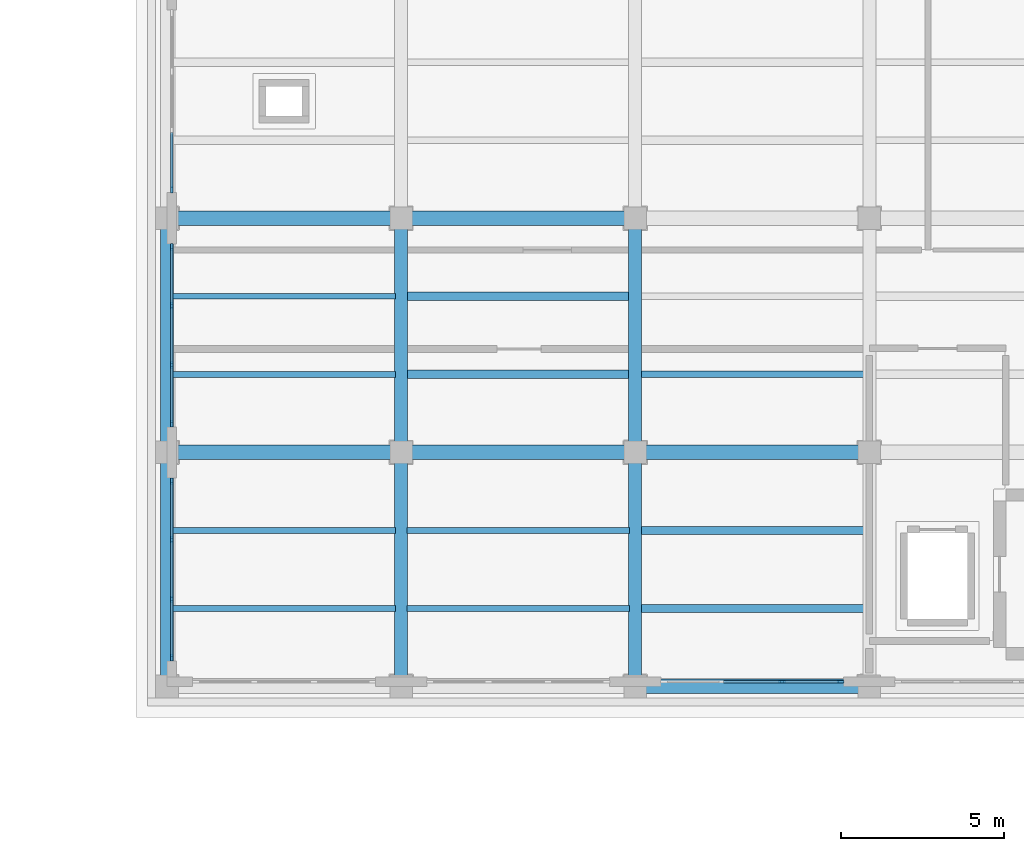
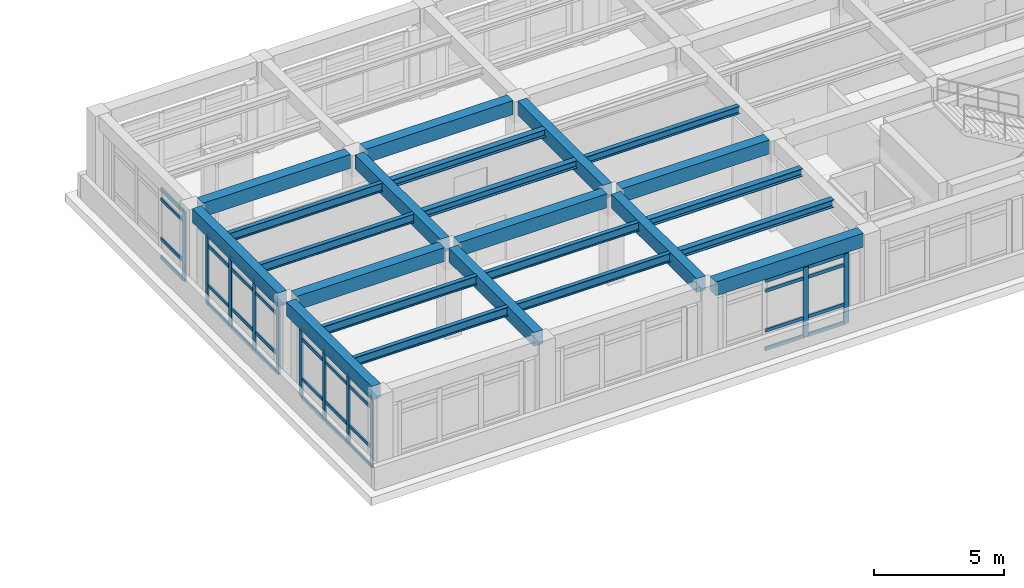
# One storey, part 22 of 64: 47 members, 23 beams, 4 elements without a shape of their own.
"""IFC4 building model written with IfcOpenShell, lengths in metres."""

from ifc_helpers import new_model, si_unit, direction, frame, origin, origin_2d, place, context, subcontext, project, spatial, rectangle, i_section, extrude, material, layer, layer_set, material_profile, profile_set, type_object, element, aggregate, save


model = new_model("IFC4")

# Units and contexts
model_context = context("Model", 3, precision=1e-05, world=origin(), true_north=direction((0.0, 1.0)))
body_context = subcontext(model_context, "Body", "Model", "MODEL_VIEW")
ifc_project = project(units=[si_unit("LENGTHUNIT", "METRE"), si_unit("AREAUNIT", "SQUARE_METRE"), si_unit("VOLUMEUNIT", "CUBIC_METRE"), si_unit("PLANEANGLEUNIT", "RADIAN"), si_unit("MASSUNIT", "GRAM", prefix="KILO")], contexts=[model_context])

# Site, building, storey
site_placement = place(None, origin())
site = spatial("IfcSite", under=ifc_project, at=site_placement, CompositionType="ELEMENT")
building_placement = place(site_placement, origin())
building = spatial("IfcBuilding", under=site, at=building_placement, Name="Solenvale Faculty of Natural Sciences", CompositionType="ELEMENT")
storey_placement = place(building_placement, frame((0.0, 0.0, 18.0)))
storey = spatial("IfcBuildingStorey", under=building, at=storey_placement, Name="L04", CompositionType="ELEMENT", Elevation=18.0)

# Beams
ifc_material_1 = material(Name="Concrete 40 MPa", Category="concrete")
ifc_material_profile_1 = material_profile(ifc_material_1, rectangle(XDim=0.39990234375, YDim=0.64990234375, at=origin_2d()), Name="RC-BM-400x650")
ifc_profile_set_1 = profile_set([ifc_material_profile_1], Name="Concrete 40 MPa")
beam_type_1 = type_object("IfcBeamType", Name="BM-RC-400x650", PredefinedType="BEAM", material=ifc_profile_set_1)
for number, where, z_axis, x_axis, name in (
    (1, (79.199951171875, 93.929931640625, 3.89501953125), (0.0, 1.0, 0.0), (-1.0, 0.0, 0.0), "L04 Y-Girder X79.2 (93.6..100.8)"),
    (2, (79.199951171875, 101.1298828125, 3.89501953125), (0.0, 1.0, 0.0), (-1.0, 0.0, 0.0), "L04 Y-Girder X79.2 (100.8..108.0)"),
    (3, (86.39990234375, 93.929931640625, 3.89501953125), (0.0, 1.0, 0.0), (-1.0, 0.0, 0.0), "L04 Y-Girder X86.4 (93.6..100.8)"),
    (4, (86.39990234375, 101.1298828125, 3.89501953125), (0.0, 1.0, 0.0), (-1.0, 0.0, 0.0), "L04 Y-Girder X86.4 (100.8..108.0)"),
    (5, (93.60009765625, 93.929931640625, 3.89501953125), (0.0, 1.0, 0.0), (-1.0, 0.0, 0.0), "L04 Y-Girder X93.6 (93.6..100.8)"),
    (6, (93.60009765625, 101.1298828125, 3.89501953125), (0.0, 1.0, 0.0), (-1.0, 0.0, 0.0), "L04 Y-Girder X93.6 (100.8..108.0)"),
):
    element("IfcBeam", number, at=place(storey_placement, frame(where, z_axis=z_axis, x_axis=x_axis)), inside=storey, type_object=beam_type_1, Name=name, PredefinedType="BEAM", context=body_context, shape_type="SweptSolid", body=[
        extrude(rectangle(XDim=0.39990234375, YDim=0.64990234375, at=origin_2d()), origin(), (0.0, 0.0, 1.0), 6.5400390625),
    ])
ifc_material_profile_2 = material_profile(ifc_material_1, rectangle(XDim=0.449951171875, YDim=0.64990234375, at=origin_2d()), Name="RC-BM-450x650")
ifc_profile_set_2 = profile_set([ifc_material_profile_2], Name="Concrete 40 MPa")
beam_type_2 = type_object("IfcBeamType", Name="BM-RC-450x650", PredefinedType="BEAM", material=ifc_profile_set_2)
for number, where, z_axis, x_axis, name in (
    (7, (93.929931640625, 93.60009765625, 3.89501953125), (1.0, 0.0, 0.0), (0.0, 1.0, 0.0), "L04 X-Girder Y93.6 (93.6..100.8)"),
    (8, (79.530029296875, 100.800048828125, 3.89501953125), (1.0, 0.0, 0.0), (0.0, 1.0, 0.0), "L04 X-Girder Y100.8 (79.2..86.4)"),
    (9, (86.72998046875, 100.800048828125, 3.89501953125), (1.0, 0.0, 0.0), (0.0, 1.0, 0.0), "L04 X-Girder Y100.8 (86.4..93.6)"),
    (10, (93.929931640625, 100.800048828125, 3.89501953125), (1.0, 0.0, 0.0), (0.0, 1.0, 0.0), "L04 X-Girder Y100.8 (93.6..100.8)"),
    (11, (79.530029296875, 108.0, 3.89501953125), (1.0, 0.0, 0.0), (0.0, 1.0, 0.0), "L04 X-Girder Y108.0 (79.2..86.4)"),
    (12, (86.72998046875, 108.0, 3.89501953125), (1.0, 0.0, 0.0), (0.0, 1.0, 0.0), "L04 X-Girder Y108.0 (86.4..93.6)"),
):
    element("IfcBeam", number, at=place(storey_placement, frame(where, z_axis=z_axis, x_axis=x_axis)), inside=storey, type_object=beam_type_2, Name=name, PredefinedType="BEAM", context=body_context, shape_type="SweptSolid", body=[
        extrude(rectangle(XDim=0.449951171875, YDim=0.64990234375, at=origin_2d()), origin(), (0.0, 0.0, 1.0), 6.5400390625),
    ])
ifc_material_2 = material(Name="Steel S355", Category="steel")
ifc_material_profile_3 = material_profile(ifc_material_2, i_section(OverallWidth=0.2548828125, OverallDepth=0.35693359375, WebThickness=0.010498046875, FlangeThickness=0.018310546875, FilletRadius=0.014892578125, at=origin_2d()), Name="W360x101")
ifc_profile_set_3 = profile_set([ifc_material_profile_3], Name="Steel S355")
beam_type_3 = type_object("IfcBeamType", Name="BM-STL-W360x101", PredefinedType="JOIST", material=ifc_profile_set_3)
for number, where, z_axis, x_axis, name in (
    (13, (86.580078125, 103.199951171875, 4.04150390625), (1.0, 0.0, 0.0), (0.0, 1.0, 0.0), "L04 Composite Floor Joist (13,15).1"),
    (14, (86.580078125, 105.60009765625, 4.04150390625), (1.0, 0.0, 0.0), (0.0, 1.0, 0.0), "L04 Composite Floor Joist (13,15).2"),
):
    element("IfcBeam", number, at=place(storey_placement, frame(where, z_axis=z_axis, x_axis=x_axis)), inside=storey, type_object=beam_type_3, Name=name, PredefinedType="JOIST", context=body_context, shape_type="SweptSolid", body=[
        extrude(i_section(OverallWidth=0.2548828125, OverallDepth=0.35693359375, WebThickness=0.010498046875, FlangeThickness=0.018310546875, FilletRadius=0.014892578125, at=origin_2d()), origin(), (0.0, 0.0, 1.0), 6.83984375),
    ])
for number, where, z_axis, x_axis, name in (
    (15, (93.780029296875, 96.0, 4.04150390625), (1.0, 0.0, 0.0), (0.0, 1.0, 0.0), "L04 Composite Floor Joist (14,14).1"),
    (16, (93.780029296875, 98.39990234375, 4.04150390625), (1.0, 0.0, 0.0), (0.0, 1.0, 0.0), "L04 Composite Floor Joist (14,14).2"),
):
    element("IfcBeam", number, at=place(storey_placement, frame(where, z_axis=z_axis, x_axis=x_axis)), inside=storey, type_object=beam_type_3, Name=name, PredefinedType="JOIST", context=body_context, shape_type="SweptSolid", body=[
        extrude(i_section(OverallWidth=0.2548828125, OverallDepth=0.35693359375, WebThickness=0.010498046875, FlangeThickness=0.018310546875, FilletRadius=0.014892578125, at=origin_2d()), origin(), (0.0, 0.0, 1.0), 6.840087890625),
    ])
ifc_material_profile_4 = material_profile(ifc_material_2, i_section(OverallWidth=0.2041015625, OverallDepth=0.35009765625, WebThickness=0.008544921875, FlangeThickness=0.01513671875, FilletRadius=0.014892578125, at=origin_2d()), Name="W360x72")
ifc_profile_set_4 = profile_set([ifc_material_profile_4], Name="Steel S355")
beam_type_4 = type_object("IfcBeamType", Name="BM-STL-W360x72", PredefinedType="JOIST", material=ifc_profile_set_4)
beam_placement = place(storey_placement, frame((93.780029296875, 103.199951171875, 4.044921875), z_axis=(1.0, 0.0, 0.0), x_axis=(0.0, 1.0, 0.0)))
element("IfcBeam", 17, at=beam_placement, inside=storey, type_object=beam_type_4, Name="L04 Composite Floor Joist (14,15).1", PredefinedType="JOIST", context=body_context, shape_type="SweptSolid", body=[
    extrude(i_section(OverallWidth=0.2041015625, OverallDepth=0.35009765625, WebThickness=0.008544921875, FlangeThickness=0.01513671875, FilletRadius=0.014892578125, at=origin_2d()), origin(), (0.0, 0.0, 1.0), 6.840087890625),
])
ifc_material_profile_5 = material_profile(ifc_material_2, i_section(OverallWidth=0.178955078125, OverallDepth=0.409912109375, WebThickness=0.0087890625, FlangeThickness=0.014404296875, FilletRadius=0.01611328125, at=origin_2d()), Name="W410x67")
ifc_profile_set_5 = profile_set([ifc_material_profile_5], Name="Steel S355")
beam_type_5 = type_object("IfcBeamType", Name="BM-STL-W410x67", PredefinedType="JOIST", material=ifc_profile_set_5)
for number, where, z_axis, x_axis, name in (
    (18, (79.3798828125, 103.199951171875, 4.014892578125), (1.0, 0.0, 0.0), (0.0, 1.0, 0.0), "L04 Composite Floor Joist (12,15).1"),
    (19, (79.3798828125, 105.60009765625, 4.014892578125), (1.0, 0.0, 0.0), (0.0, 1.0, 0.0), "L04 Composite Floor Joist (12,15).2"),
):
    element("IfcBeam", number, at=place(storey_placement, frame(where, z_axis=z_axis, x_axis=x_axis)), inside=storey, type_object=beam_type_5, Name=name, PredefinedType="JOIST", context=body_context, shape_type="SweptSolid", body=[
        extrude(i_section(OverallWidth=0.178955078125, OverallDepth=0.409912109375, WebThickness=0.0087890625, FlangeThickness=0.014404296875, FilletRadius=0.01611328125, at=origin_2d()), origin(), (0.0, 0.0, 1.0), 6.840087890625),
    ])
for number, where, z_axis, x_axis, name in (
    (20, (86.580078125, 96.0, 4.014892578125), (1.0, 0.0, 0.0), (0.0, 1.0, 0.0), "L04 Composite Floor Joist (13,14).1"),
    (21, (86.580078125, 98.39990234375, 4.014892578125), (1.0, 0.0, 0.0), (0.0, 1.0, 0.0), "L04 Composite Floor Joist (13,14).2"),
):
    element("IfcBeam", number, at=place(storey_placement, frame(where, z_axis=z_axis, x_axis=x_axis)), inside=storey, type_object=beam_type_5, Name=name, PredefinedType="JOIST", context=body_context, shape_type="SweptSolid", body=[
        extrude(i_section(OverallWidth=0.178955078125, OverallDepth=0.409912109375, WebThickness=0.0087890625, FlangeThickness=0.014404296875, FilletRadius=0.01611328125, at=origin_2d()), origin(), (0.0, 0.0, 1.0), 6.83984375),
    ])
ifc_material_profile_6 = material_profile(ifc_material_2, i_section(OverallWidth=0.180908203125, OverallDepth=0.4169921875, WebThickness=0.010986328125, FlangeThickness=0.018310546875, FilletRadius=0.01611328125, at=origin_2d()), Name="W410x85")
ifc_profile_set_6 = profile_set([ifc_material_profile_6], Name="Steel S355")
beam_type_6 = type_object("IfcBeamType", Name="BM-STL-W410x85", PredefinedType="JOIST", material=ifc_profile_set_6)
for number, where, z_axis, x_axis, name in (
    (22, (79.3798828125, 96.0, 4.011474609375), (1.0, 0.0, 0.0), (0.0, 1.0, 0.0), "L04 Composite Floor Joist (12,14).1"),
    (23, (79.3798828125, 98.39990234375, 4.011474609375), (1.0, 0.0, 0.0), (0.0, 1.0, 0.0), "L04 Composite Floor Joist (12,14).2"),
):
    element("IfcBeam", number, at=place(storey_placement, frame(where, z_axis=z_axis, x_axis=x_axis)), inside=storey, type_object=beam_type_6, Name=name, PredefinedType="JOIST", context=body_context, shape_type="SweptSolid", body=[
        extrude(i_section(OverallWidth=0.180908203125, OverallDepth=0.4169921875, WebThickness=0.010986328125, FlangeThickness=0.018310546875, FilletRadius=0.01611328125, at=origin_2d()), origin(), (0.0, 0.0, 1.0), 6.840087890625),
    ])

# Curtain wall, member
ifc_material_3 = material(Name="Anodised bronze aluminium", Category="aluminium")
ifc_layer = layer(ifc_material_3, 0.179931640625)
ifc_layer_set = layer_set([ifc_layer], Name="Anodised bronze aluminium")
curtain_wall_type = type_object("IfcCurtainWallType", Name="CW-TWR-MOD", PredefinedType="USERDEFINED", material=ifc_layer_set)
curtain_wall_1_placement = place(storey_placement, origin())
curtain_wall_1 = element("IfcCurtainWall", 24, at=curtain_wall_1_placement, inside=storey, type_object=curtain_wall_type, Name="L04 Curtain Wall CW-L04-P3-E5-B1", ObjectType="UNITISED CURTAIN WALL", PredefinedType="USERDEFINED")
ifc_material_profile_7 = material_profile(ifc_material_3, rectangle(XDim=0.074951171875, YDim=0.2099609375, at=origin_2d()), Name="ALU-MUL-75x210")
ifc_profile_set_7 = profile_set([ifc_material_profile_7], Name="Anodised bronze aluminium")
member_type_1 = type_object("IfcMemberType", Name="CWM-ALU-75x210", PredefinedType="MULLION", material=ifc_profile_set_7)
member_1_placement = place(storey_placement, frame((79.342529296875, 108.887451171875, 0.0), z_axis=(0.0, 0.0, 1.0), x_axis=(1.0, 0.0, 0.0)))
member_1 = element("IfcMember", 25, at=member_1_placement, type_object=member_type_1, Name="CW-04 mullion 4", PredefinedType="MULLION", context=body_context, shape_type="SweptSolid", body=[
    extrude(rectangle(XDim=0.074951171875, YDim=0.2099609375, at=origin_2d()), origin(), (0.0, 0.0, 1.0), 3.260009765625),
])

# Curtain wall, members
curtain_wall_2_placement = place(storey_placement, origin())
curtain_wall_2 = element("IfcCurtainWall", 26, at=curtain_wall_2_placement, inside=storey, type_object=curtain_wall_type, Name="L04 Curtain Wall CW-L04-P3-E5-B2", ObjectType="UNITISED CURTAIN WALL", PredefinedType="USERDEFINED")
member_2_placement = place(storey_placement, frame((79.342529296875, 107.112548828125, 0.0), z_axis=(0.0, 0.0, 1.0), x_axis=(1.0, 0.0, 0.0)))
member_2 = element("IfcMember", 27, at=member_2_placement, type_object=member_type_1, Name="CW-04 mullion 1", PredefinedType="MULLION", context=body_context, shape_type="SweptSolid", body=[
    extrude(rectangle(XDim=0.074951171875, YDim=0.2099609375, at=origin_2d()), origin(), (0.0, 0.0, 1.0), 3.260009765625),
])
member_3_placement = place(storey_placement, frame((79.342529296875, 105.316650390625, 0.0), z_axis=(0.0, 0.0, 1.0), x_axis=(1.0, 0.0, 0.0)))
member_3 = element("IfcMember", 28, at=member_3_placement, type_object=member_type_1, Name="CW-04 mullion 2", PredefinedType="MULLION", context=body_context, shape_type="SweptSolid", body=[
    extrude(rectangle(XDim=0.074951171875, YDim=0.2099609375, at=origin_2d()), origin(), (0.0, 0.0, 1.0), 3.260009765625),
])
member_4_placement = place(storey_placement, frame((79.342529296875, 103.4833984375, 0.0), z_axis=(0.0, 0.0, 1.0), x_axis=(1.0, 0.0, 0.0)))
member_4 = element("IfcMember", 29, at=member_4_placement, type_object=member_type_1, Name="CW-04 mullion 3", PredefinedType="MULLION", context=body_context, shape_type="SweptSolid", body=[
    extrude(rectangle(XDim=0.074951171875, YDim=0.2099609375, at=origin_2d()), origin(), (0.0, 0.0, 1.0), 3.260009765625),
])
member_5_placement = place(storey_placement, frame((79.342529296875, 101.6875, 0.0), z_axis=(0.0, 0.0, 1.0), x_axis=(1.0, 0.0, 0.0)))
member_5 = element("IfcMember", 30, at=member_5_placement, type_object=member_type_1, Name="CW-04 mullion 4", PredefinedType="MULLION", context=body_context, shape_type="SweptSolid", body=[
    extrude(rectangle(XDim=0.074951171875, YDim=0.2099609375, at=origin_2d()), origin(), (0.0, 0.0, 1.0), 3.260009765625),
])

curtain_wall_3_placement = place(storey_placement, origin())
curtain_wall_3 = element("IfcCurtainWall", 31, at=curtain_wall_3_placement, inside=storey, type_object=curtain_wall_type, Name="L04 Curtain Wall CW-L04-P3-E5-B3", ObjectType="UNITISED CURTAIN WALL", PredefinedType="USERDEFINED")
member_6_placement = place(storey_placement, frame((79.342529296875, 99.91259765625, 0.0), z_axis=(0.0, 0.0, 1.0), x_axis=(1.0, 0.0, 0.0)))
member_6 = element("IfcMember", 32, at=member_6_placement, type_object=member_type_1, Name="CW-04 mullion 1", PredefinedType="MULLION", context=body_context, shape_type="SweptSolid", body=[
    extrude(rectangle(XDim=0.074951171875, YDim=0.2099609375, at=origin_2d()), origin(), (0.0, 0.0, 1.0), 3.260009765625),
])
member_7_placement = place(storey_placement, frame((79.342529296875, 98.11669921875, 0.0), z_axis=(0.0, 0.0, 1.0), x_axis=(1.0, 0.0, 0.0)))
member_7 = element("IfcMember", 33, at=member_7_placement, type_object=member_type_1, Name="CW-04 mullion 2", PredefinedType="MULLION", context=body_context, shape_type="SweptSolid", body=[
    extrude(rectangle(XDim=0.074951171875, YDim=0.2099609375, at=origin_2d()), origin(), (0.0, 0.0, 1.0), 3.260009765625),
])
member_8_placement = place(storey_placement, frame((79.342529296875, 96.283447265625, 0.0), z_axis=(0.0, 0.0, 1.0), x_axis=(1.0, 0.0, 0.0)))
member_8 = element("IfcMember", 34, at=member_8_placement, type_object=member_type_1, Name="CW-04 mullion 3", PredefinedType="MULLION", context=body_context, shape_type="SweptSolid", body=[
    extrude(rectangle(XDim=0.074951171875, YDim=0.2099609375, at=origin_2d()), origin(), (0.0, 0.0, 1.0), 3.260009765625),
])
member_9_placement = place(storey_placement, frame((79.342529296875, 94.487548828125, 0.0), z_axis=(0.0, 0.0, 1.0), x_axis=(1.0, 0.0, 0.0)))
member_9 = element("IfcMember", 35, at=member_9_placement, type_object=member_type_1, Name="CW-04 mullion 4", PredefinedType="MULLION", context=body_context, shape_type="SweptSolid", body=[
    extrude(rectangle(XDim=0.074951171875, YDim=0.2099609375, at=origin_2d()), origin(), (0.0, 0.0, 1.0), 3.260009765625),
])

curtain_wall_4_placement = place(storey_placement, origin())
curtain_wall_4 = element("IfcCurtainWall", 36, at=curtain_wall_4_placement, inside=storey, type_object=curtain_wall_type, Name="L04 Curtain Wall CW-L04-P3-E6-B3", ObjectType="UNITISED CURTAIN WALL", PredefinedType="USERDEFINED")
member_10_placement = place(storey_placement, frame((98.11669921875, 93.742431640625, 0.0), z_axis=(0.0, 0.0, 1.0), x_axis=(0.0, 1.0, 0.0)))
member_10 = element("IfcMember", 37, at=member_10_placement, type_object=member_type_1, Name="CW-04 mullion 3", PredefinedType="MULLION", context=body_context, shape_type="SweptSolid", body=[
    extrude(rectangle(XDim=0.074951171875, YDim=0.2099609375, at=origin_2d()), origin(), (0.0, 0.0, 1.0), 3.260009765625),
])
member_11_placement = place(storey_placement, frame((99.91259765625, 93.742431640625, 0.0), z_axis=(0.0, 0.0, 1.0), x_axis=(0.0, 1.0, 0.0)))
member_11 = element("IfcMember", 38, at=member_11_placement, type_object=member_type_1, Name="CW-04 mullion 4", PredefinedType="MULLION", context=body_context, shape_type="SweptSolid", body=[
    extrude(rectangle(XDim=0.074951171875, YDim=0.2099609375, at=origin_2d()), origin(), (0.0, 0.0, 1.0), 3.260009765625),
])

# Member
ifc_material_profile_8 = material_profile(ifc_material_3, rectangle(XDim=0.074951171875, YDim=0.155029296875, at=origin_2d()), Name="ALU-TRN-75x155")
ifc_profile_set_8 = profile_set([ifc_material_profile_8], Name="Anodised bronze aluminium")
member_type_2 = type_object("IfcMemberType", Name="CWT-ALU-75x155", PredefinedType="USERDEFINED", material=ifc_profile_set_8)
member_12_placement = place(storey_placement, frame((79.342529296875, 110.645751953125, 0.03759765625), z_axis=(0.0, -1.0, 0.0), x_axis=(1.0, 0.0, 0.0)))
member_12 = element("IfcMember", 39, at=member_12_placement, type_object=member_type_2, Name="CW-04 transom 3.1", ObjectType="TRANSOM", PredefinedType="USERDEFINED", context=body_context, shape_type="SweptSolid", body=[
    extrude(rectangle(XDim=0.074951171875, YDim=0.155029296875, at=origin_2d()), origin(), (0.0, 0.0, 1.0), 1.720703125),
])

member_13_placement = place(storey_placement, frame((79.342529296875, 110.645751953125, 0.89990234375), z_axis=(0.0, -1.0, 0.0), x_axis=(1.0, 0.0, 0.0)))
member_13 = element("IfcMember", 40, at=member_13_placement, type_object=member_type_2, Name="CW-04 transom 3.2", ObjectType="TRANSOM", PredefinedType="USERDEFINED", context=body_context, shape_type="SweptSolid", body=[
    extrude(rectangle(XDim=0.074951171875, YDim=0.155029296875, at=origin_2d()), origin(), (0.0, 0.0, 1.0), 1.720703125),
])

member_14_placement = place(storey_placement, frame((79.342529296875, 110.645751953125, 2.760009765625), z_axis=(0.0, -1.0, 0.0), x_axis=(1.0, 0.0, 0.0)))
member_14 = element("IfcMember", 41, at=member_14_placement, type_object=member_type_2, Name="CW-04 transom 3.3", ObjectType="TRANSOM", PredefinedType="USERDEFINED", context=body_context, shape_type="SweptSolid", body=[
    extrude(rectangle(XDim=0.074951171875, YDim=0.155029296875, at=origin_2d()), origin(), (0.0, 0.0, 1.0), 1.720703125),
])

member_15_placement = place(storey_placement, frame((79.342529296875, 110.645751953125, 3.222412109375), z_axis=(0.0, -1.0, 0.0), x_axis=(1.0, 0.0, 0.0)))
member_15 = element("IfcMember", 42, at=member_15_placement, type_object=member_type_2, Name="CW-04 transom 3.4", ObjectType="TRANSOM", PredefinedType="USERDEFINED", context=body_context, shape_type="SweptSolid", body=[
    extrude(rectangle(XDim=0.074951171875, YDim=0.155029296875, at=origin_2d()), origin(), (0.0, 0.0, 1.0), 1.720703125),
])

aggregate(curtain_wall_1, [member_1, member_12, member_13, member_14, member_15])

member_16_placement = place(storey_placement, frame((79.342529296875, 107.074951171875, 0.03759765625), z_axis=(0.0, -1.0, 0.0), x_axis=(1.0, 0.0, 0.0)))
member_16 = element("IfcMember", 43, at=member_16_placement, type_object=member_type_2, Name="CW-04 transom 1.1", ObjectType="TRANSOM", PredefinedType="USERDEFINED", context=body_context, shape_type="SweptSolid", body=[
    extrude(rectangle(XDim=0.074951171875, YDim=0.155029296875, at=origin_2d()), origin(), (0.0, 0.0, 1.0), 1.720703125),
])

member_17_placement = place(storey_placement, frame((79.342529296875, 107.074951171875, 0.89990234375), z_axis=(0.0, -1.0, 0.0), x_axis=(1.0, 0.0, 0.0)))
member_17 = element("IfcMember", 44, at=member_17_placement, type_object=member_type_2, Name="CW-04 transom 1.2", ObjectType="TRANSOM", PredefinedType="USERDEFINED", context=body_context, shape_type="SweptSolid", body=[
    extrude(rectangle(XDim=0.074951171875, YDim=0.155029296875, at=origin_2d()), origin(), (0.0, 0.0, 1.0), 1.720703125),
])

member_18_placement = place(storey_placement, frame((79.342529296875, 107.074951171875, 2.760009765625), z_axis=(0.0, -1.0, 0.0), x_axis=(1.0, 0.0, 0.0)))
member_18 = element("IfcMember", 45, at=member_18_placement, type_object=member_type_2, Name="CW-04 transom 1.3", ObjectType="TRANSOM", PredefinedType="USERDEFINED", context=body_context, shape_type="SweptSolid", body=[
    extrude(rectangle(XDim=0.074951171875, YDim=0.155029296875, at=origin_2d()), origin(), (0.0, 0.0, 1.0), 1.720703125),
])

member_19_placement = place(storey_placement, frame((79.342529296875, 107.074951171875, 3.222412109375), z_axis=(0.0, -1.0, 0.0), x_axis=(1.0, 0.0, 0.0)))
member_19 = element("IfcMember", 46, at=member_19_placement, type_object=member_type_2, Name="CW-04 transom 1.4", ObjectType="TRANSOM", PredefinedType="USERDEFINED", context=body_context, shape_type="SweptSolid", body=[
    extrude(rectangle(XDim=0.074951171875, YDim=0.155029296875, at=origin_2d()), origin(), (0.0, 0.0, 1.0), 1.720703125),
])

member_20_placement = place(storey_placement, frame((79.342529296875, 105.279052734375, 0.03759765625), z_axis=(0.0, -1.0, 0.0), x_axis=(1.0, 0.0, 0.0)))
member_20 = element("IfcMember", 47, at=member_20_placement, type_object=member_type_2, Name="CW-04 transom 2.1", ObjectType="TRANSOM", PredefinedType="USERDEFINED", context=body_context, shape_type="SweptSolid", body=[
    extrude(rectangle(XDim=0.074951171875, YDim=0.155029296875, at=origin_2d()), origin(), (0.0, 0.0, 1.0), 1.75830078125),
])

member_21_placement = place(storey_placement, frame((79.342529296875, 105.279052734375, 0.89990234375), z_axis=(0.0, -1.0, 0.0), x_axis=(1.0, 0.0, 0.0)))
member_21 = element("IfcMember", 48, at=member_21_placement, type_object=member_type_2, Name="CW-04 transom 2.2", ObjectType="TRANSOM", PredefinedType="USERDEFINED", context=body_context, shape_type="SweptSolid", body=[
    extrude(rectangle(XDim=0.074951171875, YDim=0.155029296875, at=origin_2d()), origin(), (0.0, 0.0, 1.0), 1.75830078125),
])

member_22_placement = place(storey_placement, frame((79.342529296875, 105.279052734375, 2.760009765625), z_axis=(0.0, -1.0, 0.0), x_axis=(1.0, 0.0, 0.0)))
member_22 = element("IfcMember", 49, at=member_22_placement, type_object=member_type_2, Name="CW-04 transom 2.3", ObjectType="TRANSOM", PredefinedType="USERDEFINED", context=body_context, shape_type="SweptSolid", body=[
    extrude(rectangle(XDim=0.074951171875, YDim=0.155029296875, at=origin_2d()), origin(), (0.0, 0.0, 1.0), 1.75830078125),
])

member_23_placement = place(storey_placement, frame((79.342529296875, 105.279052734375, 3.222412109375), z_axis=(0.0, -1.0, 0.0), x_axis=(1.0, 0.0, 0.0)))
member_23 = element("IfcMember", 50, at=member_23_placement, type_object=member_type_2, Name="CW-04 transom 2.4", ObjectType="TRANSOM", PredefinedType="USERDEFINED", context=body_context, shape_type="SweptSolid", body=[
    extrude(rectangle(XDim=0.074951171875, YDim=0.155029296875, at=origin_2d()), origin(), (0.0, 0.0, 1.0), 1.75830078125),
])

member_24_placement = place(storey_placement, frame((79.342529296875, 103.44580078125, 0.03759765625), z_axis=(0.0, -1.0, 0.0), x_axis=(1.0, 0.0, 0.0)))
member_24 = element("IfcMember", 51, at=member_24_placement, type_object=member_type_2, Name="CW-04 transom 3.1", ObjectType="TRANSOM", PredefinedType="USERDEFINED", context=body_context, shape_type="SweptSolid", body=[
    extrude(rectangle(XDim=0.074951171875, YDim=0.155029296875, at=origin_2d()), origin(), (0.0, 0.0, 1.0), 1.720703125),
])

member_25_placement = place(storey_placement, frame((79.342529296875, 103.44580078125, 0.89990234375), z_axis=(0.0, -1.0, 0.0), x_axis=(1.0, 0.0, 0.0)))
member_25 = element("IfcMember", 52, at=member_25_placement, type_object=member_type_2, Name="CW-04 transom 3.2", ObjectType="TRANSOM", PredefinedType="USERDEFINED", context=body_context, shape_type="SweptSolid", body=[
    extrude(rectangle(XDim=0.074951171875, YDim=0.155029296875, at=origin_2d()), origin(), (0.0, 0.0, 1.0), 1.720703125),
])

member_26_placement = place(storey_placement, frame((79.342529296875, 103.44580078125, 2.760009765625), z_axis=(0.0, -1.0, 0.0), x_axis=(1.0, 0.0, 0.0)))
member_26 = element("IfcMember", 53, at=member_26_placement, type_object=member_type_2, Name="CW-04 transom 3.3", ObjectType="TRANSOM", PredefinedType="USERDEFINED", context=body_context, shape_type="SweptSolid", body=[
    extrude(rectangle(XDim=0.074951171875, YDim=0.155029296875, at=origin_2d()), origin(), (0.0, 0.0, 1.0), 1.720703125),
])

member_27_placement = place(storey_placement, frame((79.342529296875, 103.44580078125, 3.222412109375), z_axis=(0.0, -1.0, 0.0), x_axis=(1.0, 0.0, 0.0)))
member_27 = element("IfcMember", 54, at=member_27_placement, type_object=member_type_2, Name="CW-04 transom 3.4", ObjectType="TRANSOM", PredefinedType="USERDEFINED", context=body_context, shape_type="SweptSolid", body=[
    extrude(rectangle(XDim=0.074951171875, YDim=0.155029296875, at=origin_2d()), origin(), (0.0, 0.0, 1.0), 1.720703125),
])

aggregate(curtain_wall_2, [member_2, member_3, member_4, member_5, member_16, member_17, member_18, member_19, member_20, member_21, member_22, member_23, member_24, member_25, member_26, member_27])

member_28_placement = place(storey_placement, frame((79.342529296875, 99.875, 0.03759765625), z_axis=(0.0, -1.0, 0.0), x_axis=(1.0, 0.0, 0.0)))
member_28 = element("IfcMember", 55, at=member_28_placement, type_object=member_type_2, Name="CW-04 transom 1.1", ObjectType="TRANSOM", PredefinedType="USERDEFINED", context=body_context, shape_type="SweptSolid", body=[
    extrude(rectangle(XDim=0.074951171875, YDim=0.155029296875, at=origin_2d()), origin(), (0.0, 0.0, 1.0), 1.720947265625),
])

member_29_placement = place(storey_placement, frame((79.342529296875, 99.875, 0.89990234375), z_axis=(0.0, -1.0, 0.0), x_axis=(1.0, 0.0, 0.0)))
member_29 = element("IfcMember", 56, at=member_29_placement, type_object=member_type_2, Name="CW-04 transom 1.2", ObjectType="TRANSOM", PredefinedType="USERDEFINED", context=body_context, shape_type="SweptSolid", body=[
    extrude(rectangle(XDim=0.074951171875, YDim=0.155029296875, at=origin_2d()), origin(), (0.0, 0.0, 1.0), 1.720947265625),
])

member_30_placement = place(storey_placement, frame((79.342529296875, 99.875, 2.760009765625), z_axis=(0.0, -1.0, 0.0), x_axis=(1.0, 0.0, 0.0)))
member_30 = element("IfcMember", 57, at=member_30_placement, type_object=member_type_2, Name="CW-04 transom 1.3", ObjectType="TRANSOM", PredefinedType="USERDEFINED", context=body_context, shape_type="SweptSolid", body=[
    extrude(rectangle(XDim=0.074951171875, YDim=0.155029296875, at=origin_2d()), origin(), (0.0, 0.0, 1.0), 1.720947265625),
])

member_31_placement = place(storey_placement, frame((79.342529296875, 99.875, 3.222412109375), z_axis=(0.0, -1.0, 0.0), x_axis=(1.0, 0.0, 0.0)))
member_31 = element("IfcMember", 58, at=member_31_placement, type_object=member_type_2, Name="CW-04 transom 1.4", ObjectType="TRANSOM", PredefinedType="USERDEFINED", context=body_context, shape_type="SweptSolid", body=[
    extrude(rectangle(XDim=0.074951171875, YDim=0.155029296875, at=origin_2d()), origin(), (0.0, 0.0, 1.0), 1.720947265625),
])

member_32_placement = place(storey_placement, frame((79.342529296875, 98.0791015625, 0.03759765625), z_axis=(0.0, -1.0, 0.0), x_axis=(1.0, 0.0, 0.0)))
member_32 = element("IfcMember", 59, at=member_32_placement, type_object=member_type_2, Name="CW-04 transom 2.1", ObjectType="TRANSOM", PredefinedType="USERDEFINED", context=body_context, shape_type="SweptSolid", body=[
    extrude(rectangle(XDim=0.074951171875, YDim=0.155029296875, at=origin_2d()), origin(), (0.0, 0.0, 1.0), 1.75830078125),
])

member_33_placement = place(storey_placement, frame((79.342529296875, 98.0791015625, 0.89990234375), z_axis=(0.0, -1.0, 0.0), x_axis=(1.0, 0.0, 0.0)))
member_33 = element("IfcMember", 60, at=member_33_placement, type_object=member_type_2, Name="CW-04 transom 2.2", ObjectType="TRANSOM", PredefinedType="USERDEFINED", context=body_context, shape_type="SweptSolid", body=[
    extrude(rectangle(XDim=0.074951171875, YDim=0.155029296875, at=origin_2d()), origin(), (0.0, 0.0, 1.0), 1.75830078125),
])

member_34_placement = place(storey_placement, frame((79.342529296875, 98.0791015625, 2.760009765625), z_axis=(0.0, -1.0, 0.0), x_axis=(1.0, 0.0, 0.0)))
member_34 = element("IfcMember", 61, at=member_34_placement, type_object=member_type_2, Name="CW-04 transom 2.3", ObjectType="TRANSOM", PredefinedType="USERDEFINED", context=body_context, shape_type="SweptSolid", body=[
    extrude(rectangle(XDim=0.074951171875, YDim=0.155029296875, at=origin_2d()), origin(), (0.0, 0.0, 1.0), 1.75830078125),
])

member_35_placement = place(storey_placement, frame((79.342529296875, 98.0791015625, 3.222412109375), z_axis=(0.0, -1.0, 0.0), x_axis=(1.0, 0.0, 0.0)))
member_35 = element("IfcMember", 62, at=member_35_placement, type_object=member_type_2, Name="CW-04 transom 2.4", ObjectType="TRANSOM", PredefinedType="USERDEFINED", context=body_context, shape_type="SweptSolid", body=[
    extrude(rectangle(XDim=0.074951171875, YDim=0.155029296875, at=origin_2d()), origin(), (0.0, 0.0, 1.0), 1.75830078125),
])

member_36_placement = place(storey_placement, frame((79.342529296875, 96.245849609375, 0.03759765625), z_axis=(0.0, -1.0, 0.0), x_axis=(1.0, 0.0, 0.0)))
member_36 = element("IfcMember", 63, at=member_36_placement, type_object=member_type_2, Name="CW-04 transom 3.1", ObjectType="TRANSOM", PredefinedType="USERDEFINED", context=body_context, shape_type="SweptSolid", body=[
    extrude(rectangle(XDim=0.074951171875, YDim=0.155029296875, at=origin_2d()), origin(), (0.0, 0.0, 1.0), 1.720947265625),
])

member_37_placement = place(storey_placement, frame((79.342529296875, 96.245849609375, 0.89990234375), z_axis=(0.0, -1.0, 0.0), x_axis=(1.0, 0.0, 0.0)))
member_37 = element("IfcMember", 64, at=member_37_placement, type_object=member_type_2, Name="CW-04 transom 3.2", ObjectType="TRANSOM", PredefinedType="USERDEFINED", context=body_context, shape_type="SweptSolid", body=[
    extrude(rectangle(XDim=0.074951171875, YDim=0.155029296875, at=origin_2d()), origin(), (0.0, 0.0, 1.0), 1.720947265625),
])

member_38_placement = place(storey_placement, frame((79.342529296875, 96.245849609375, 2.760009765625), z_axis=(0.0, -1.0, 0.0), x_axis=(1.0, 0.0, 0.0)))
member_38 = element("IfcMember", 65, at=member_38_placement, type_object=member_type_2, Name="CW-04 transom 3.3", ObjectType="TRANSOM", PredefinedType="USERDEFINED", context=body_context, shape_type="SweptSolid", body=[
    extrude(rectangle(XDim=0.074951171875, YDim=0.155029296875, at=origin_2d()), origin(), (0.0, 0.0, 1.0), 1.720947265625),
])

member_39_placement = place(storey_placement, frame((79.342529296875, 96.245849609375, 3.222412109375), z_axis=(0.0, -1.0, 0.0), x_axis=(1.0, 0.0, 0.0)))
member_39 = element("IfcMember", 66, at=member_39_placement, type_object=member_type_2, Name="CW-04 transom 3.4", ObjectType="TRANSOM", PredefinedType="USERDEFINED", context=body_context, shape_type="SweptSolid", body=[
    extrude(rectangle(XDim=0.074951171875, YDim=0.155029296875, at=origin_2d()), origin(), (0.0, 0.0, 1.0), 1.720947265625),
])

aggregate(curtain_wall_3, [member_6, member_7, member_8, member_9, member_28, member_29, member_30, member_31, member_32, member_33, member_34, member_35, member_36, member_37, member_38, member_39])

member_40_placement = place(storey_placement, frame((96.32080078125, 93.742431640625, 0.03759765625), z_axis=(1.0, 0.0, 0.0), x_axis=(0.0, 1.0, 0.0)))
member_40 = element("IfcMember", 67, at=member_40_placement, type_object=member_type_2, Name="CW-04 transom 2.1", ObjectType="TRANSOM", PredefinedType="USERDEFINED", context=body_context, shape_type="SweptSolid", body=[
    extrude(rectangle(XDim=0.074951171875, YDim=0.155029296875, at=origin_2d()), origin(), (0.0, 0.0, 1.0), 1.75830078125),
])

member_41_placement = place(storey_placement, frame((96.32080078125, 93.742431640625, 0.89990234375), z_axis=(1.0, 0.0, 0.0), x_axis=(0.0, 1.0, 0.0)))
member_41 = element("IfcMember", 68, at=member_41_placement, type_object=member_type_2, Name="CW-04 transom 2.2", ObjectType="TRANSOM", PredefinedType="USERDEFINED", context=body_context, shape_type="SweptSolid", body=[
    extrude(rectangle(XDim=0.074951171875, YDim=0.155029296875, at=origin_2d()), origin(), (0.0, 0.0, 1.0), 1.75830078125),
])

member_42_placement = place(storey_placement, frame((96.32080078125, 93.742431640625, 2.760009765625), z_axis=(1.0, 0.0, 0.0), x_axis=(0.0, 1.0, 0.0)))
member_42 = element("IfcMember", 69, at=member_42_placement, type_object=member_type_2, Name="CW-04 transom 2.3", ObjectType="TRANSOM", PredefinedType="USERDEFINED", context=body_context, shape_type="SweptSolid", body=[
    extrude(rectangle(XDim=0.074951171875, YDim=0.155029296875, at=origin_2d()), origin(), (0.0, 0.0, 1.0), 1.75830078125),
])

member_43_placement = place(storey_placement, frame((96.32080078125, 93.742431640625, 3.222412109375), z_axis=(1.0, 0.0, 0.0), x_axis=(0.0, 1.0, 0.0)))
member_43 = element("IfcMember", 70, at=member_43_placement, type_object=member_type_2, Name="CW-04 transom 2.4", ObjectType="TRANSOM", PredefinedType="USERDEFINED", context=body_context, shape_type="SweptSolid", body=[
    extrude(rectangle(XDim=0.074951171875, YDim=0.155029296875, at=origin_2d()), origin(), (0.0, 0.0, 1.0), 1.75830078125),
])

member_44_placement = place(storey_placement, frame((98.154052734375, 93.742431640625, 0.03759765625), z_axis=(1.0, 0.0, 0.0), x_axis=(0.0, 1.0, 0.0)))
member_44 = element("IfcMember", 71, at=member_44_placement, type_object=member_type_2, Name="CW-04 transom 3.1", ObjectType="TRANSOM", PredefinedType="USERDEFINED", context=body_context, shape_type="SweptSolid", body=[
    extrude(rectangle(XDim=0.074951171875, YDim=0.155029296875, at=origin_2d()), origin(), (0.0, 0.0, 1.0), 1.720947265625),
])

member_45_placement = place(storey_placement, frame((98.154052734375, 93.742431640625, 0.89990234375), z_axis=(1.0, 0.0, 0.0), x_axis=(0.0, 1.0, 0.0)))
member_45 = element("IfcMember", 72, at=member_45_placement, type_object=member_type_2, Name="CW-04 transom 3.2", ObjectType="TRANSOM", PredefinedType="USERDEFINED", context=body_context, shape_type="SweptSolid", body=[
    extrude(rectangle(XDim=0.074951171875, YDim=0.155029296875, at=origin_2d()), origin(), (0.0, 0.0, 1.0), 1.720947265625),
])

member_46_placement = place(storey_placement, frame((98.154052734375, 93.742431640625, 2.760009765625), z_axis=(1.0, 0.0, 0.0), x_axis=(0.0, 1.0, 0.0)))
member_46 = element("IfcMember", 73, at=member_46_placement, type_object=member_type_2, Name="CW-04 transom 3.3", ObjectType="TRANSOM", PredefinedType="USERDEFINED", context=body_context, shape_type="SweptSolid", body=[
    extrude(rectangle(XDim=0.074951171875, YDim=0.155029296875, at=origin_2d()), origin(), (0.0, 0.0, 1.0), 1.720947265625),
])

member_47_placement = place(storey_placement, frame((98.154052734375, 93.742431640625, 3.222412109375), z_axis=(1.0, 0.0, 0.0), x_axis=(0.0, 1.0, 0.0)))
member_47 = element("IfcMember", 74, at=member_47_placement, type_object=member_type_2, Name="CW-04 transom 3.4", ObjectType="TRANSOM", PredefinedType="USERDEFINED", context=body_context, shape_type="SweptSolid", body=[
    extrude(rectangle(XDim=0.074951171875, YDim=0.155029296875, at=origin_2d()), origin(), (0.0, 0.0, 1.0), 1.720947265625),
])

aggregate(curtain_wall_4, [member_10, member_11, member_40, member_41, member_42, member_43, member_44, member_45, member_46, member_47])

save(model, "model.ifc")
